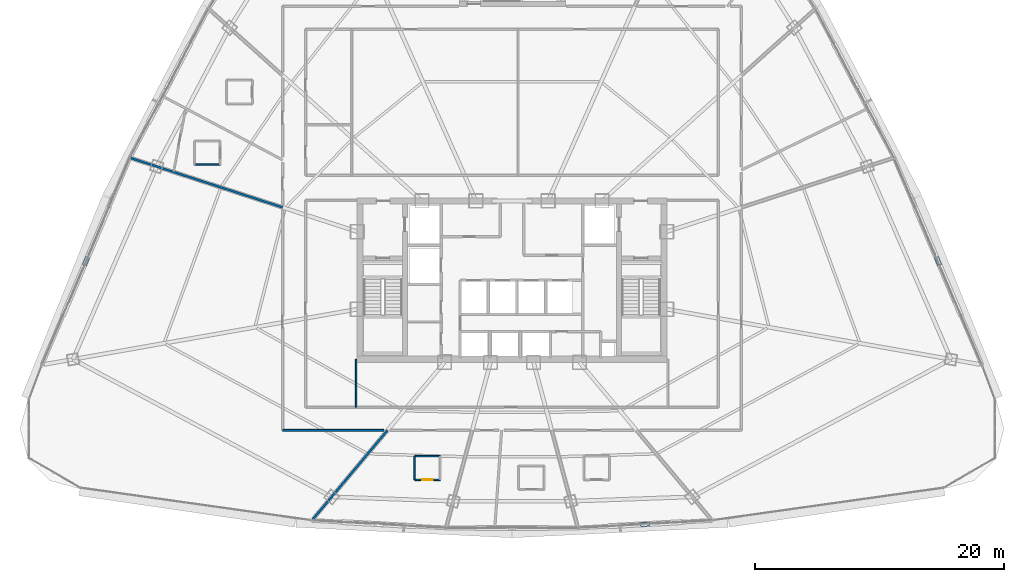
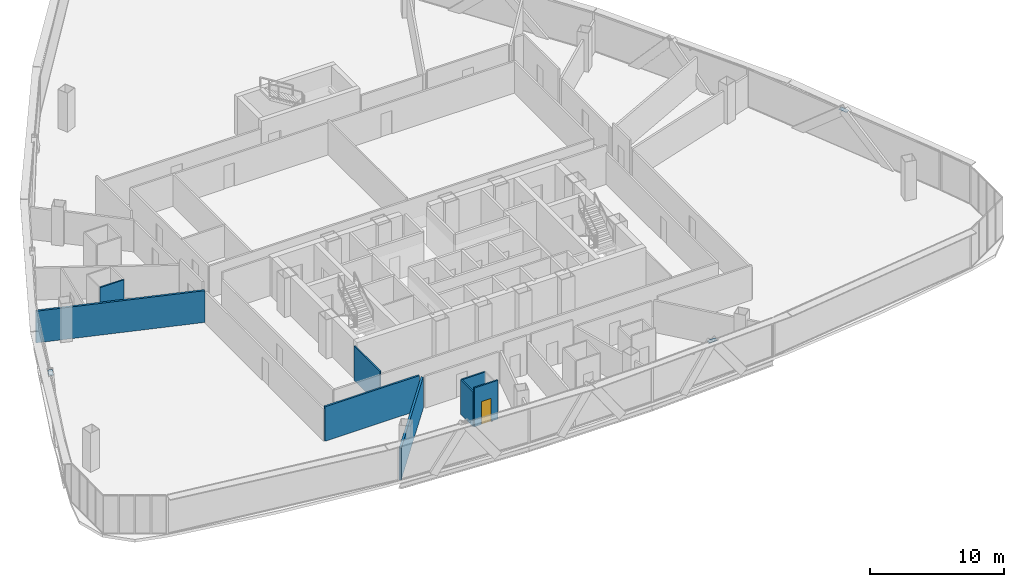
# One storey, part 31 of 40: 8 walls, 3 plates, 1 door, 1 opening.
"""IFC4 building model written with IfcOpenShell, lengths in metres."""

from ifc_helpers import new_model, si_unit, direction, frame, frame_2d, origin, origin_2d, place, context, subcontext, project, spatial, rectangle, extrude, source, transform, mapped, material, layer, layer_set, type_object, element, fill, save


model = new_model("IFC4")

# Units and contexts
model_context = context("Model", 3, precision=1e-05, world=origin(), true_north=direction((0.0, 1.0)))
body_context = subcontext(model_context, "Body", "Model", "MODEL_VIEW")
ifc_project = project(units=[si_unit("LENGTHUNIT", "METRE"), si_unit("AREAUNIT", "SQUARE_METRE"), si_unit("VOLUMEUNIT", "CUBIC_METRE"), si_unit("PLANEANGLEUNIT", "RADIAN"), si_unit("MASSUNIT", "GRAM", prefix="KILO"), si_unit("THERMODYNAMICTEMPERATUREUNIT", "KELVIN"), si_unit("POWERUNIT", "WATT")], contexts=[model_context])

# Site, building, storey
site_placement = place(None, origin())
site = spatial("IfcSite", under=ifc_project, at=site_placement, CompositionType="ELEMENT")
building_placement = place(site_placement, origin())
building = spatial("IfcBuilding", under=site, at=building_placement, Name="Yunzhuo Pagoda Commons", CompositionType="ELEMENT")
storey_placement = place(building_placement, frame((0.0, 0.0, 180.9599609375)))
storey = spatial("IfcBuildingStorey", under=building, at=storey_placement, Name="L45", CompositionType="ELEMENT", Elevation=180.9599609375)

# Plates
ifc_material_1 = material(Name="Structural steel Q355B", Category="steel")
ifc_layer_1 = layer(ifc_material_1, 0.028076171875)
ifc_layer_set_1 = layer_set([ifc_layer_1], Name="Structural steel Q355B")
plate_type = type_object("IfcPlateType", Name="SP-ND1 Lattice Node Cap Plate 800x500x28", PredefinedType="USERDEFINED", material=ifc_layer_set_1)
shared_shape_1 = source(origin(), body_context, "Body", "SweptSolid", [
    extrude(rectangle(XDim=0.699951171875, YDim=0.35009765625, at=origin_2d()), origin(), (0.0, 0.0, 1.0), 0.035888671875),
])
for number, where, z_axis, x_axis, name in (
    (1, (58.6669921875, 14.27294921875, 3.501953125), (0.0, 0.0, 1.0), (0.998423178068, 0.05613517165, 0.0), "L45 setback lattice tie plate F1.3L"),
    (2, (82.168701171875, 35.35546875, 3.501953125), (0.0, 0.0, 1.0), (-0.39069899657, 0.920518491981, 0.0), "L45 setback lattice tie plate F2.1L"),
    (3, (13.831298828125, 35.35546875, 3.501953125), (0.0, 0.0, 1.0), (-0.39069899657, -0.920518491981, 0.0), "L45 setback lattice tie plate F3.3L"),
):
    element("IfcPlate", number, at=place(storey_placement, frame(where, z_axis=z_axis, x_axis=x_axis)), inside=storey, type_object=plate_type, Name=name, ObjectType="STIFFENER_PLATE", PredefinedType="USERDEFINED", context=body_context, shape_type="MappedRepresentation", body=[
        mapped(shared_shape_1, transform((0.0, 0.0, 0.0), scale=1.0)),
    ])

# Walls
ifc_material_2 = material(Name="Gypsum plasterboard on acoustic stud")
ifc_layer_2 = layer(ifc_material_2, 0.155029296875)
ifc_layer_set_2 = layer_set([ifc_layer_2], Name="Gypsum plasterboard on acoustic stud")
wall_type_1 = type_object("IfcWallType", Name="W-COR2 Mid-Zone Rated Corridor Wall 155", PredefinedType="PARTITIONING", material=ifc_layer_set_2)
wall_1_placement = place(storey_placement, frame((37.7275390625, 21.800048828125, 0.0), z_axis=(0.0, 0.0, 1.0), x_axis=(-1.0, 0.0, 0.0)))
element("IfcWall", 4, at=wall_1_placement, inside=storey, type_object=wall_type_1, Name="L45 interior wall IW-L45-CWL18", PredefinedType="PARTITIONING", context=body_context, shape_type="SweptSolid", body=[
    extrude(rectangle(XDim=8.12744140625, YDim=0.155029296875, at=frame_2d((4.063720703125, 0.0))), origin(), (0.0, 0.0, 1.0), 3.14013671875),
])
ifc_layer_3 = layer(ifc_material_2, 0.1201171875)
ifc_layer_set_3 = layer_set([ifc_layer_3], Name="Gypsum plasterboard on acoustic stud")
wall_type_2 = type_object("IfcWallType", Name="W-PRT1 Suite & Bathroom Partition 120", PredefinedType="PARTITIONING", material=ifc_layer_set_3)
wall_2_placement = place(storey_placement, frame((35.5, 23.64990234375, 0.0), z_axis=(0.0, 0.0, 1.0), x_axis=(0.0, 1.0, 0.0)))
element("IfcWall", 5, at=wall_2_placement, inside=storey, type_object=wall_type_2, Name="L45 interior wall IW-L45-SFLD1", PredefinedType="PARTITIONING", context=body_context, shape_type="SweptSolid", body=[
    extrude(rectangle(XDim=3.85009765625, YDim=0.1201171875, at=frame_2d((1.925048828125, 0.0))), origin(), (0.0, 0.0, 1.0), 3.14013671875),
])
wall_3_placement = place(storey_placement, frame((22.547119140625, 43.09912109375, 0.0), z_axis=(0.0, 0.0, 1.0), x_axis=(1.0, 0.0, 0.0)))
element("IfcWall", 6, at=wall_3_placement, inside=storey, type_object=wall_type_2, Name="L45 interior wall IW-L45-B07S", PredefinedType="PARTITIONING", context=body_context, shape_type="SweptSolid", body=[
    extrude(rectangle(XDim=2.0498046875, YDim=0.1201171875, at=frame_2d((1.02490234375, 0.0))), origin(), (0.0, 0.0, 1.0), 3.5400390625),
])

# Wall, opening, door
wall_4_placement = place(storey_placement, frame((40.18701171875, 17.833984375, 0.0), z_axis=(0.0, 0.0, 1.0), x_axis=(1.0, 0.0, 0.0)))
wall_4 = element("IfcWall", 7, at=wall_4_placement, inside=storey, type_object=wall_type_2, Name="L45 interior wall IW-L45-B09S", PredefinedType="PARTITIONING", context=body_context, shape_type="SweptSolid", body=[
    extrude(rectangle(XDim=2.050048828125, YDim=0.1201171875, at=frame_2d((1.02490234375, 0.0))), origin(), (0.0, 0.0, 1.0), 3.5400390625),
])
opening_placement = place(wall_4_placement, frame((0.60009765625, 0.0, 0.0)))
opening = element("IfcOpeningElement", 8, at=opening_placement, cuts=wall_4, Name="Opening D-05", PredefinedType="OPENING", context=body_context, shape_type="SweptSolid", body=[
    extrude(rectangle(XDim=0.85009765625, YDim=2.10009765625, at=frame_2d((0.425048828125, 1.050048828125))), frame((0.0, 0.070068359375, 0.0), z_axis=(0.0, -1.0, 0.0), x_axis=(1.0, 0.0, 0.0)), (0.0, 0.0, 1.0), 0.14013671875),
])
ifc_material_3 = material(Name="Powder-coated aluminium and timber acoustic leaf", Category="wood")
door_type = type_object("IfcDoorType", Name="D-05 En-Suite Bathroom Door 850x2100", OperationType="NOTDEFINED", PredefinedType="DOOR", material=ifc_material_3)
shared_shape_2 = source(origin(), body_context, "Body", "SweptSolid", [
    extrude(rectangle(XDim=0.85009765625, YDim=2.10009765625, at=frame_2d((0.425048828125, 1.050048828125))), frame((0.0, 0.02490234375, 0.0), z_axis=(0.0, -1.0, 0.0), x_axis=(1.0, 0.0, 0.0)), (0.0, 0.0, 1.0), 0.050048828125),
])
door_placement = place(opening_placement, frame((0.85009765625, 0.0, 0.0), z_axis=(0.0, 0.0, 1.0), x_axis=(-1.0, 0.0, 0.0)))
door = element("IfcDoor", 9, at=door_placement, inside=storey, type_object=door_type, Name="L45 unit 09 bathroom door", OperationType="SINGLE_SWING_LEFT", OverallHeight=2.10009765625, OverallWidth=0.85009765625, PredefinedType="DOOR", context=body_context, shape_type="MappedRepresentation", body=[
    mapped(shared_shape_2, transform((0.0, 0.0, 0.0), scale=1.0)),
])
fill(opening, door)

# Walls
wall_5_placement = place(storey_placement, frame((42.237060546875, 19.73388671875, 0.0), z_axis=(0.0, 0.0, 1.0), x_axis=(-1.0, 0.0, 0.0)))
element("IfcWall", 10, at=wall_5_placement, inside=storey, type_object=wall_type_2, Name="L45 interior wall IW-L45-B09N", PredefinedType="PARTITIONING", context=body_context, shape_type="SweptSolid", body=[
    extrude(rectangle(XDim=2.050048828125, YDim=0.1201171875, at=frame_2d((1.02490234375, 0.0))), origin(), (0.0, 0.0, 1.0), 3.14013671875),
])
wall_6_placement = place(storey_placement, frame((40.18701171875, 19.73388671875, 0.0), z_axis=(0.0, 0.0, 1.0), x_axis=(0.0, -1.0, 0.0)))
element("IfcWall", 11, at=wall_6_placement, inside=storey, type_object=wall_type_2, Name="L45 interior wall IW-L45-B09W", PredefinedType="PARTITIONING", context=body_context, shape_type="SweptSolid", body=[
    extrude(rectangle(XDim=1.89990234375, YDim=0.1201171875, at=frame_2d((0.949951171875, 0.0))), origin(), (0.0, 0.0, 1.0), 3.14013671875),
])
ifc_layer_4 = layer(ifc_material_2, 0.175048828125)
ifc_layer_set_4 = layer_set([ifc_layer_4], Name="Gypsum plasterboard on acoustic stud")
wall_type_3 = type_object("IfcWallType", Name="W-PRT3 Mid-Zone Demising Wall 175", PredefinedType="PARTITIONING", material=ifc_layer_set_4)
wall_7_placement = place(storey_placement, frame((29.60009765625, 39.678466796875, 0.0), z_axis=(0.0, 0.0, 1.0), x_axis=(-0.951054689993, 0.309022615097, 0.0)))
element("IfcWall", 12, at=wall_7_placement, inside=storey, type_object=wall_type_3, Name="L45 interior wall IW-L45-RAD08", PredefinedType="PARTITIONING", context=body_context, shape_type="SweptSolid", body=[
    extrude(rectangle(XDim=12.875244140625, YDim=0.175048828125, at=frame_2d((6.4375, 0.0))), origin(), (0.0, 0.0, 1.0), 2.89013671875),
])
wall_8_placement = place(storey_placement, frame((38.0146484375, 21.800048828125, 0.0), z_axis=(0.0, 0.0, 1.0), x_axis=(-0.642777943688, -0.766052553751, 0.0)))
element("IfcWall", 13, at=wall_8_placement, inside=storey, type_object=wall_type_3, Name="L45 interior wall IW-L45-RAD09", PredefinedType="PARTITIONING", context=body_context, shape_type="SweptSolid", body=[
    extrude(rectangle(XDim=9.430908203125, YDim=0.175048828125, at=frame_2d((4.71533203125, 0.0))), origin(), (0.0, 0.0, 1.0), 2.89013671875),
])

save(model, "model.ifc")
